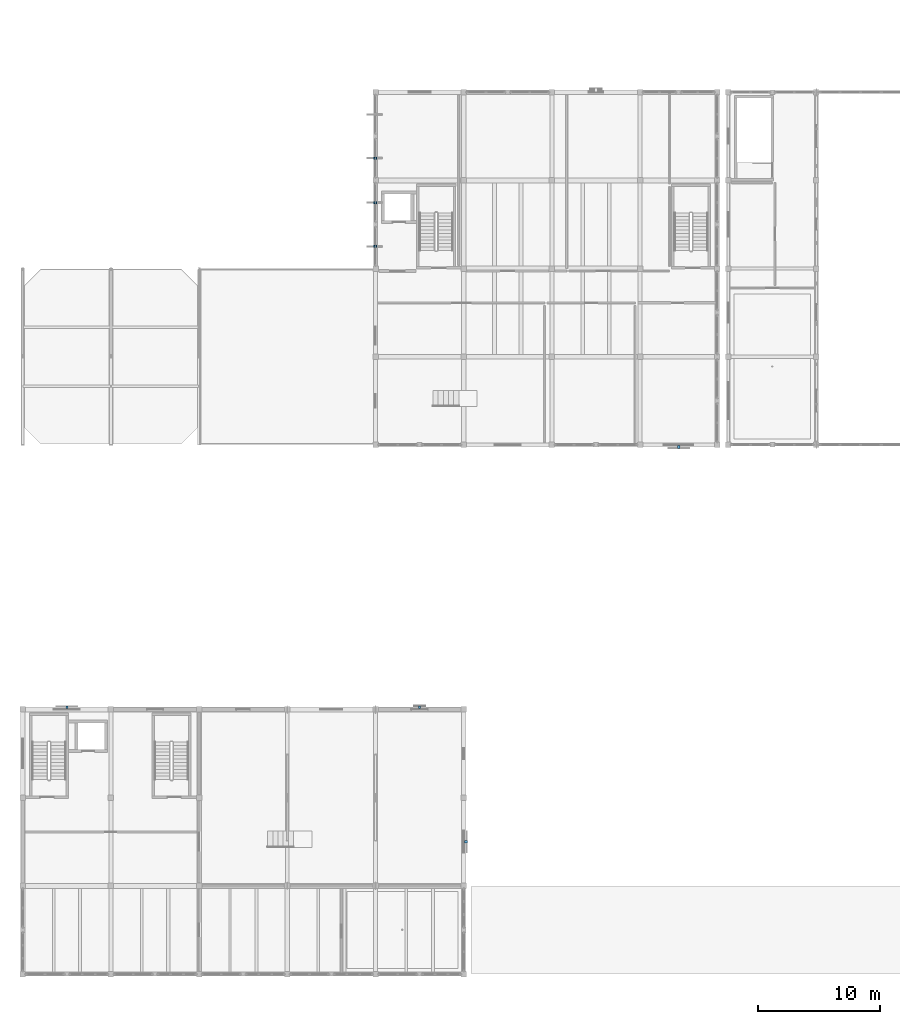
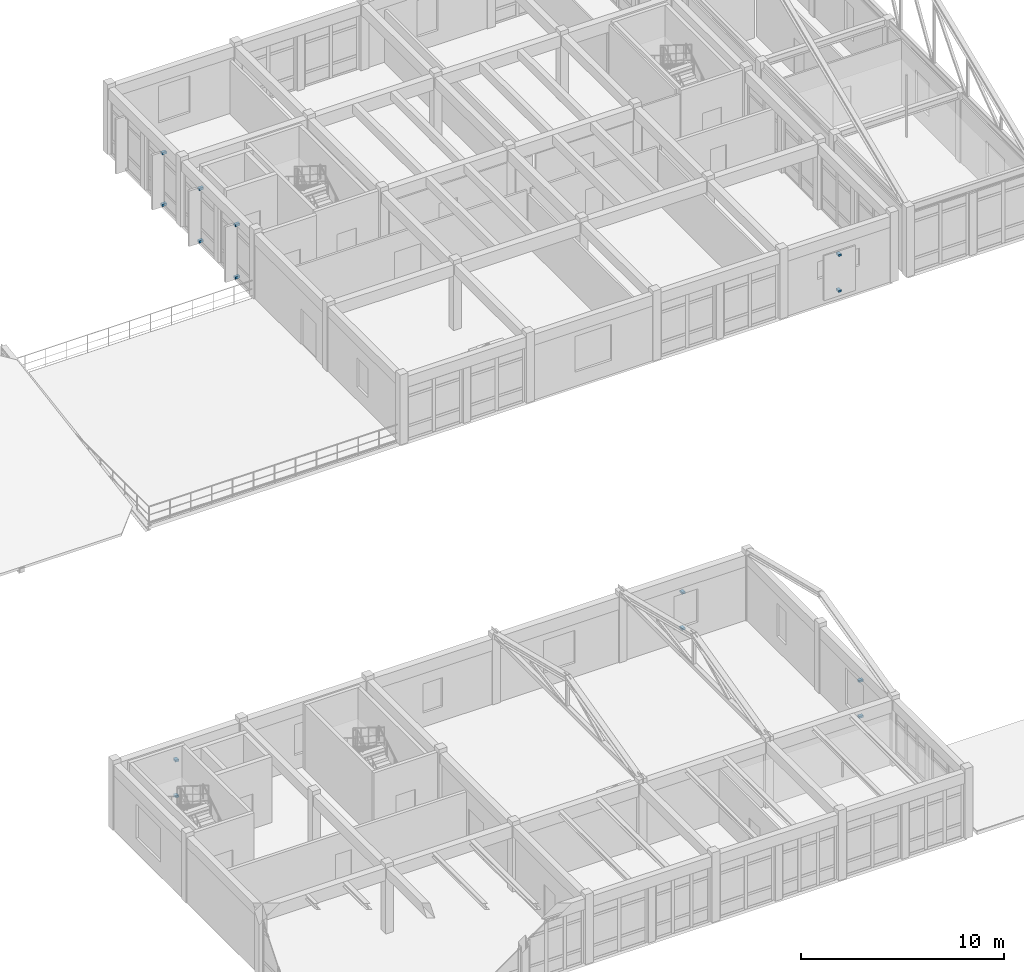
# One storey, part 123 of 136: 14 discrete accessories.
"""IFC4 building model written with IfcOpenShell, lengths in metres."""

from ifc_helpers import new_model, si_unit, direction, frame, origin, origin_2d, place, context, subcontext, project, spatial, rectangle, extrude, material, type_object, element, save


model = new_model("IFC4")

# Units and contexts
model_context = context("Model", 3, precision=1e-05, world=origin(), true_north=direction((0.0, 1.0)))
body_context = subcontext(model_context, "Body", "Model", "MODEL_VIEW")
ifc_project = project(units=[si_unit("LENGTHUNIT", "METRE"), si_unit("AREAUNIT", "SQUARE_METRE"), si_unit("VOLUMEUNIT", "CUBIC_METRE"), si_unit("PLANEANGLEUNIT", "RADIAN"), si_unit("MASSUNIT", "GRAM", prefix="KILO")], contexts=[model_context])

# Site, building, storey
site_placement = place(None, origin())
site = spatial("IfcSite", under=ifc_project, at=site_placement, CompositionType="ELEMENT")
building_placement = place(site_placement, origin())
building = spatial("IfcBuilding", under=site, at=building_placement, Name="Koriwan Promenade Central Fire Station", CompositionType="ELEMENT")
storey_placement = place(building_placement, frame((0.0, 0.0, 5.39990234375)))
storey = spatial("IfcBuildingStorey", under=building, at=storey_placement, Name="L01", CompositionType="ELEMENT", Elevation=5.39990234375)

# Discrete accessories
ifc_material = material(Name="Steel ASTM A572 Grade 50", Category="steel")
discrete_accessory_type_1 = type_object("IfcDiscreteAccessoryType", Name="FacadeBracket_Fin", PredefinedType="BRACKET", material=ifc_material)
for number, where, z_axis, x_axis, name in (
    (1, (28.780029296875, 66.612548828125, 0.02001953125), (0.0, 0.0, 1.0), (-1.0, 0.0, 0.0), "Solar fin outrigger bracket 008-BOT"),
    (2, (28.780029296875, 66.612548828125, 3.13037109375), (0.0, 0.0, 1.0), (-1.0, 0.0, 0.0), "Solar fin outrigger bracket 008-TOP"),
    (3, (28.780029296875, 62.987548828125, 0.02001953125), (0.0, 0.0, 1.0), (-1.0, 0.0, 0.0), "Solar fin outrigger bracket 009-BOT"),
    (4, (28.780029296875, 62.987548828125, 3.18017578125), (0.0, 0.0, 1.0), (-1.0, 0.0, 0.0), "Solar fin outrigger bracket 009-TOP"),
    (5, (28.780029296875, 59.41259765625, 0.02001953125), (0.0, 0.0, 1.0), (-1.0, 0.0, 0.0), "Solar fin outrigger bracket 010-BOT"),
    (6, (28.780029296875, 59.41259765625, 3.18017578125), (0.0, 0.0, 1.0), (-1.0, 0.0, 0.0), "Solar fin outrigger bracket 010-TOP"),
):
    element("IfcDiscreteAccessory", number, at=place(storey_placement, frame(where, z_axis=z_axis, x_axis=x_axis)), inside=storey, type_object=discrete_accessory_type_1, Name=name, PredefinedType="BRACKET", context=body_context, shape_type="SweptSolid", body=[
        extrude(rectangle(XDim=0.260009765625, YDim=0.159912109375, at=origin_2d()), origin(), (0.0, 0.0, 1.0), 0.139892578125),
    ])
discrete_accessory_type_2 = type_object("IfcDiscreteAccessoryType", Name="FacadeBracket_Jali", PredefinedType="BRACKET", material=ifc_material)
for number, where, z_axis, x_axis, name in (
    (7, (36.179931640625, 10.800048828125, 0.505126953125), (0.0, 0.0, 1.0), (1.0, 0.0, 0.0), "Jali corbel bracket 002-B"),
    (8, (36.179931640625, 10.800048828125, 2.6650390625), (0.0, 0.0, 1.0), (1.0, 0.0, 0.0), "Jali corbel bracket 002-T"),
    (9, (32.39990234375, 21.780029296875, 0.47998046875), (0.0, 0.0, 1.0), (0.0, 1.0, 0.0), "Jali corbel bracket 003-B"),
    (10, (32.39990234375, 21.780029296875, 2.64013671875), (0.0, 0.0, 1.0), (0.0, 1.0, 0.0), "Jali corbel bracket 003-T"),
    (11, (3.60009765625, 21.780029296875, 0.47998046875), (0.0, 0.0, 1.0), (0.0, 1.0, 0.0), "Jali corbel bracket 004-B"),
    (12, (3.60009765625, 21.780029296875, 2.64013671875), (0.0, 0.0, 1.0), (0.0, 1.0, 0.0), "Jali corbel bracket 004-T"),
    (13, (53.550048828125, 43.02001953125, 0.505126953125), (0.0, 0.0, 1.0), (0.0, -1.0, 0.0), "Jali corbel bracket 010-B"),
    (14, (53.550048828125, 43.02001953125, 2.6650390625), (0.0, 0.0, 1.0), (0.0, -1.0, 0.0), "Jali corbel bracket 010-T"),
):
    element("IfcDiscreteAccessory", number, at=place(storey_placement, frame(where, z_axis=z_axis, x_axis=x_axis)), inside=storey, type_object=discrete_accessory_type_2, Name=name, PredefinedType="BRACKET", context=body_context, shape_type="SweptSolid", body=[
        extrude(rectangle(XDim=0.239990234375, YDim=0.179931640625, at=origin_2d()), origin(), (0.0, 0.0, 1.0), 0.1201171875),
    ])

save(model, "model.ifc")
